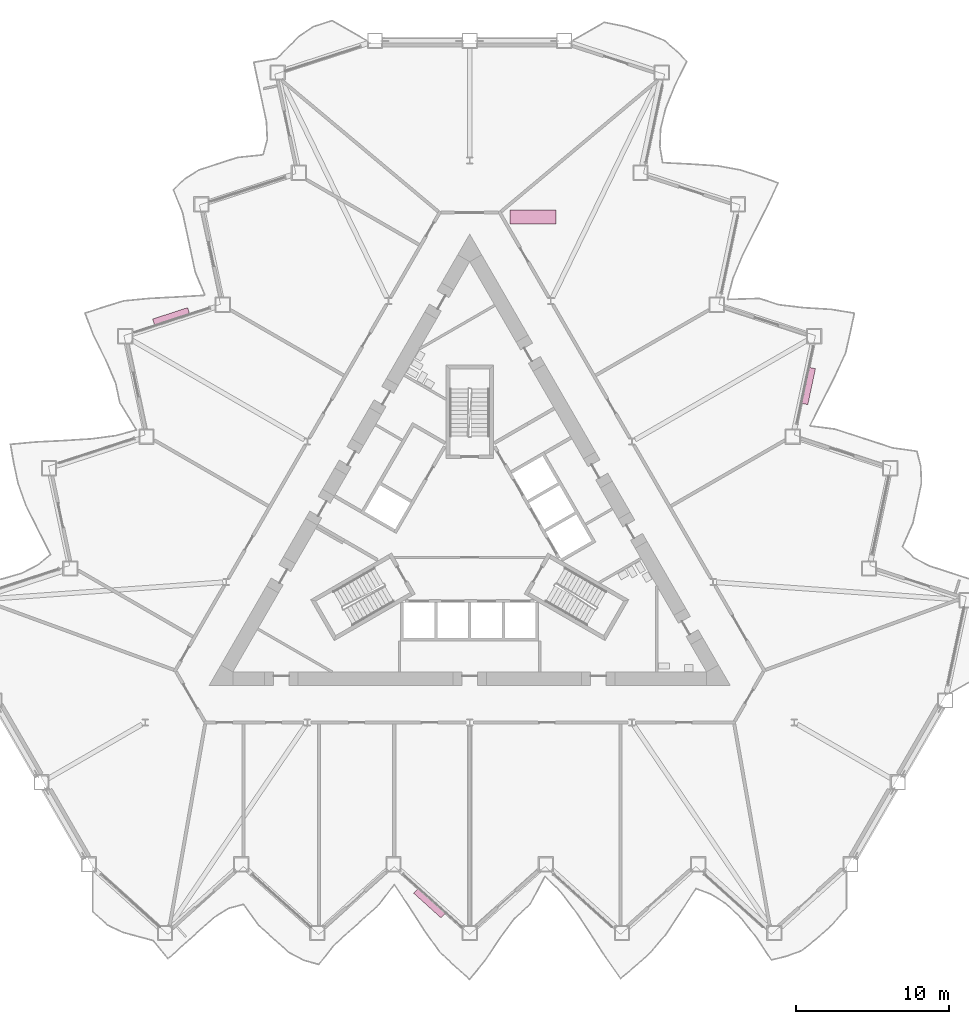
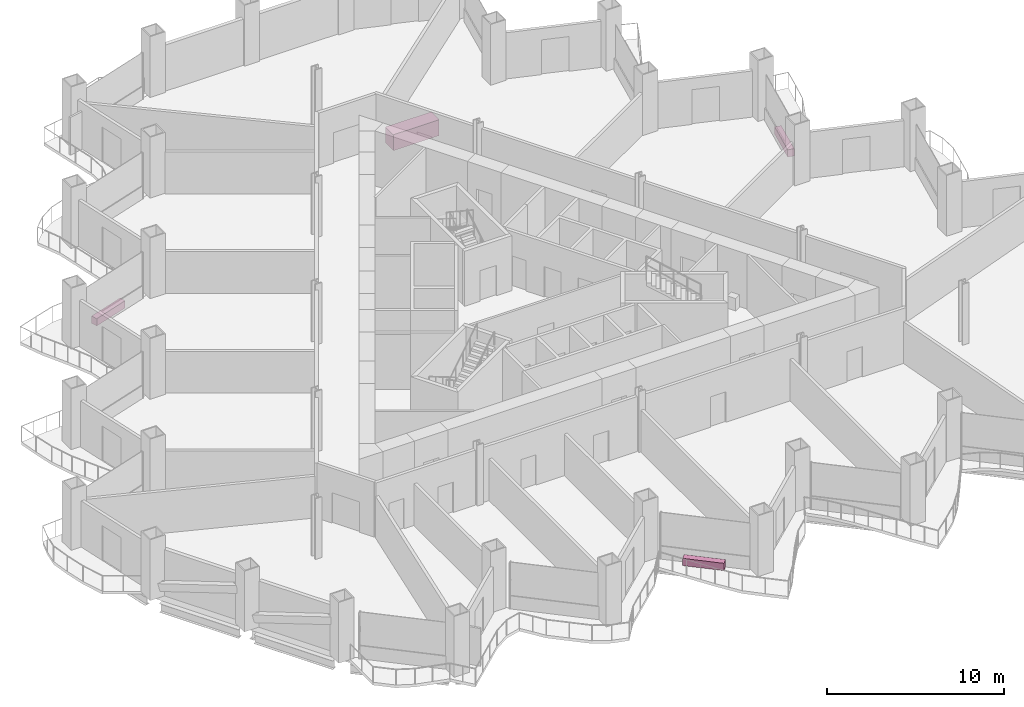
# One storey, part 21 of 21: 4 furniture elements.
"""IFC4 building model written with IfcOpenShell, lengths in metres."""

from ifc_helpers import new_model, si_unit, direction, frame, origin, origin_2d, place, context, subcontext, project, spatial, rectangle, extrude, material, type_object, element, save


model = new_model("IFC4")

# Units and contexts
model_context = context("Model", 3, precision=1e-05, world=origin(), true_north=direction((0.0, 1.0)))
body_context = subcontext(model_context, "Body", "Model", "MODEL_VIEW")
ifc_project = project(units=[si_unit("LENGTHUNIT", "METRE"), si_unit("AREAUNIT", "SQUARE_METRE"), si_unit("VOLUMEUNIT", "CUBIC_METRE"), si_unit("PLANEANGLEUNIT", "RADIAN"), si_unit("MASSUNIT", "GRAM", prefix="KILO")], contexts=[model_context])

# Site, building, storey
site_placement = place(None, origin())
site = spatial("IfcSite", under=ifc_project, at=site_placement, CompositionType="ELEMENT")
building_placement = place(site_placement, origin())
building = spatial("IfcBuilding", under=site, at=building_placement, Name="Cormorant Prow Tower", CompositionType="ELEMENT")
storey_placement = place(building_placement, frame((0.0, 0.0, 67.800048828125)))
storey = spatial("IfcBuildingStorey", under=building, at=storey_placement, Name="L14", CompositionType="ELEMENT", Elevation=67.800048828125)

# Furniture
ifc_material_1 = material(Name="Terracotta", Category="masonry")
furniture_type_1 = type_object("IfcFurnitureType", Name="Balcony planter 2400x400x500", AssemblyPlace="NOTDEFINED", PredefinedType="USERDEFINED", material=ifc_material_1)
for number, where, z_axis, x_axis, name in (
    (1, (-2.625732421875, -24.0009765625, 0.0), (0.0, 0.0, 1.0), (0.743144817746, -0.669130614945, 0.0), "Balcony planter S04"),
    (2, (22.098388671875, 9.7265625, 0.0), (0.0, 0.0, 1.0), (0.20791175581, 0.978147586919, 0.0), "Balcony planter ENE04"),
    (3, (-19.472412109375, 14.2744140625, 0.0), (0.0, 0.0, 1.0), (-0.951056531806, -0.309016946636, 0.0), "Balcony planter WNW04"),
):
    element("IfcFurniture", number, at=place(storey_placement, frame(where, z_axis=z_axis, x_axis=x_axis)), inside=storey, type_object=furniture_type_1, Name=name, ObjectType="PLANTER", PredefinedType="USERDEFINED", context=body_context, shape_type="SweptSolid", body=[
        extrude(rectangle(XDim=2.39990234375, YDim=0.39990234375, at=origin_2d()), origin(), (0.0, 0.0, 1.0), 0.5),
    ])
ifc_material_2 = material(Name="Timber joinery", Category="wood")
furniture_type_2 = type_object("IfcFurnitureType", Name="Reception desk 3000x900", AssemblyPlace="NOTDEFINED", PredefinedType="DESK", material=ifc_material_2)
furniture_placement = place(storey_placement, frame((4.13525390625, 20.74560546875, 0.0), z_axis=(0.0, 0.0, 1.0), x_axis=(1.0, 0.0, 0.0)))
element("IfcFurniture", 4, at=furniture_placement, inside=storey, type_object=furniture_type_2, Name="Reception desk", PredefinedType="DESK", context=body_context, shape_type="SweptSolid", body=[
    extrude(rectangle(XDim=3.0, YDim=0.89990234375, at=origin_2d()), origin(), (0.0, 0.0, 1.0), 1.10009765625),
])

save(model, "model.ifc")
